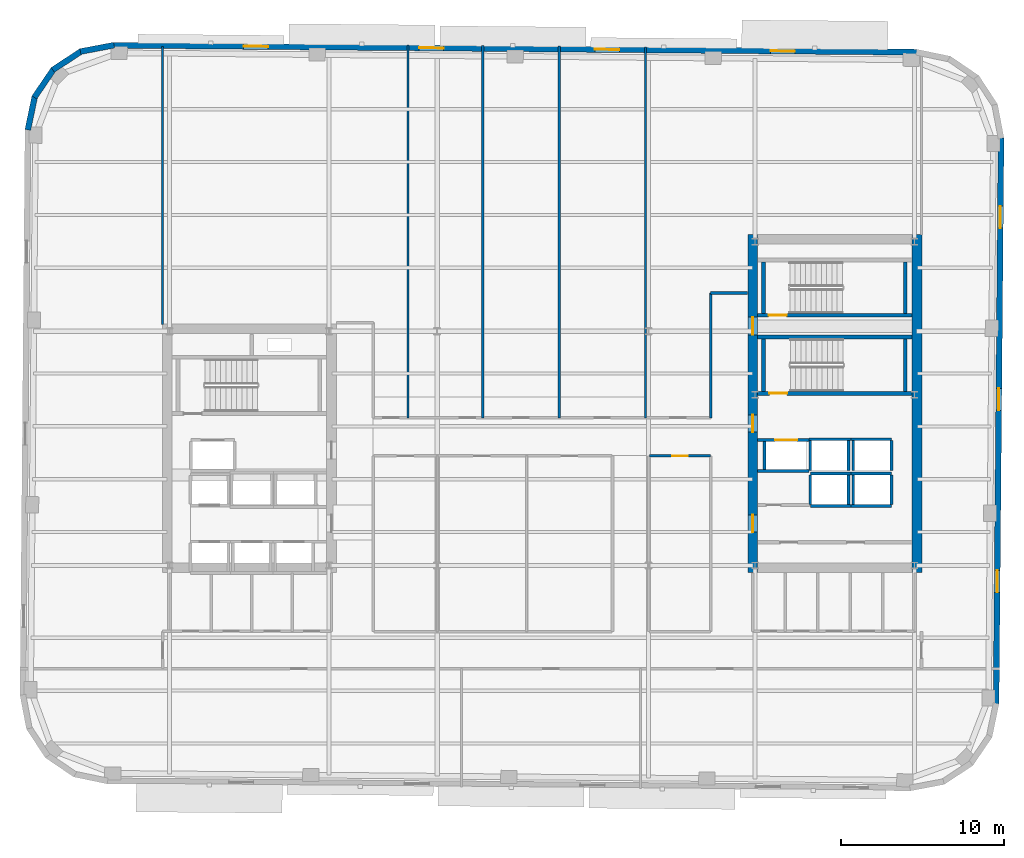
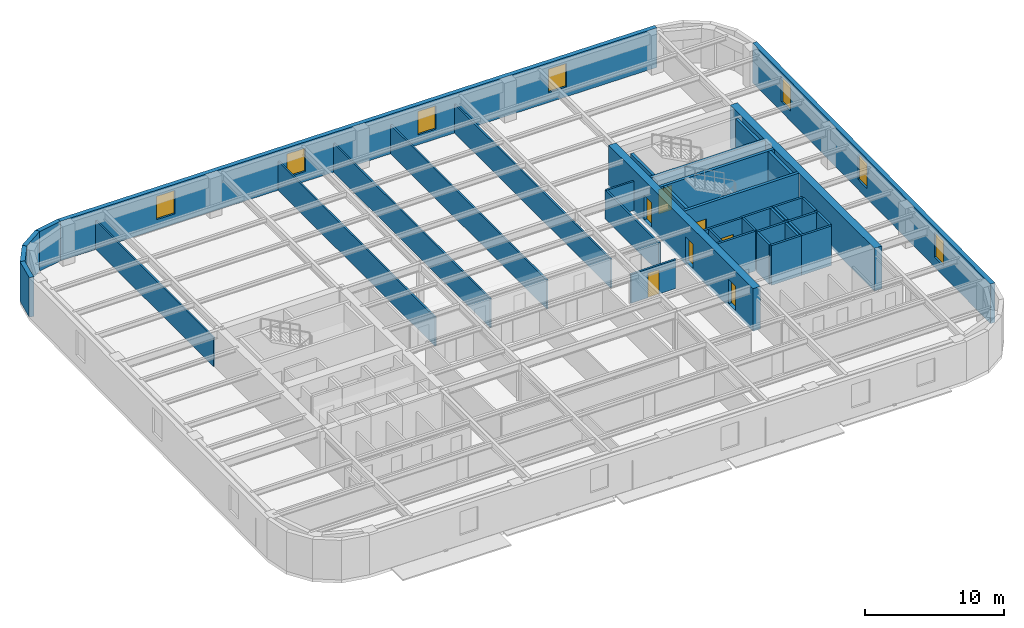
# One storey, part 6 of 11: 40 walls, 7 doors, 7 windows, 14 openings.
"""IFC4 building model written with IfcOpenShell, lengths in metres."""

from ifc_helpers import new_model, si_unit, direction, frame, frame_2d, origin, place, context, subcontext, project, spatial, rectangle, extrude, material, layer, layer_set, type_object, element, fill, save


model = new_model("IFC4")

# Units and contexts
model_context = context("Model", 3, precision=1e-05, world=origin(), true_north=direction((0.0, 1.0)))
body_context = subcontext(model_context, "Body", "Model", "MODEL_VIEW")
ifc_project = project(units=[si_unit("LENGTHUNIT", "METRE"), si_unit("AREAUNIT", "SQUARE_METRE"), si_unit("VOLUMEUNIT", "CUBIC_METRE"), si_unit("PLANEANGLEUNIT", "RADIAN"), si_unit("MASSUNIT", "GRAM", prefix="KILO")], contexts=[model_context])

# Site, building, storey
site_placement = place(None, origin())
site = spatial("IfcSite", under=ifc_project, at=site_placement, CompositionType="ELEMENT")
building_placement = place(site_placement, origin())
building = spatial("IfcBuilding", under=site, at=building_placement, Name="Kolvaren Arena Tower", CompositionType="ELEMENT")
storey_placement = place(building_placement, frame((0.0, 0.0, 184.699951171875)))
storey = spatial("IfcBuildingStorey", under=building, at=storey_placement, Name="L44", CompositionType="ELEMENT", Elevation=184.699951171875)

# Wall, opening, door
ifc_material_1 = material(Name="Gypsum board acoustic assembly", Category="gypsum")
ifc_layer_1 = layer(ifc_material_1, 0.159912109375)
ifc_layer_set_1 = layer_set([ifc_layer_1], Name="Gypsum board acoustic assembly")
wall_type_1 = type_object("IfcWallType", Name="CORR-160", PredefinedType="PARTITIONING", material=ifc_layer_set_1)
wall_1_placement = place(storey_placement, frame((44.0400390625, 26.179931640625, 0.0), z_axis=(0.0, 0.0, 1.0), x_axis=(1.0, 0.0, 0.0)))
wall_1 = element("IfcWall", 1, at=wall_1_placement, inside=storey, type_object=wall_type_1, Name="Interior Partition Wall (L44)", PredefinedType="PARTITIONING", context=body_context, shape_type="SweptSolid", body=[
    extrude(rectangle(XDim=3.760009765625, YDim=0.159912109375, at=frame_2d((1.8798828125, 0.0))), origin(), (0.0, 0.0, 1.0), 2.5400390625),
])
opening_1_placement = place(wall_1_placement, frame((1.405029296875, 0.0, 0.0)))
opening_1 = element("IfcOpeningElement", 2, at=opening_1_placement, cuts=wall_1, Name="Opening D05", PredefinedType="OPENING", context=body_context, shape_type="SweptSolid", body=[
    extrude(rectangle(XDim=0.949951171875, YDim=2.14990234375, at=frame_2d((0.47509765625, 1.074951171875))), frame((0.0, 0.08984375, 0.0), z_axis=(0.0, -1.0, 0.0), x_axis=(1.0, 0.0, 0.0)), (0.0, 0.0, 1.0), 0.179931640625),
])
ifc_material_2 = material(Name="Solid-core oak acoustic office door", Category="wood")
door_type_1 = type_object("IfcDoorType", Name="DOOR-OF-095", OperationType="NOTDEFINED", PredefinedType="DOOR", material=ifc_material_2)
door_1_placement = place(opening_1_placement, origin())
door_1 = element("IfcDoor", 3, at=door_1_placement, inside=storey, type_object=door_type_1, Name="Copy and Print Room Door (L44)", OperationType="SINGLE_SWING_LEFT", OverallHeight=2.14990234375, OverallWidth=0.949951171875, PredefinedType="DOOR", context=body_context, shape_type="SweptSolid", body=[
    extrude(rectangle(XDim=0.949951171875, YDim=2.14990234375, at=frame_2d((0.47509765625, 1.074951171875))), frame((0.0, 0.02490234375, 0.0), z_axis=(0.0, -1.0, 0.0), x_axis=(1.0, 0.0, 0.0)), (0.0, 0.0, 1.0), 0.050048828125),
])
fill(opening_1, door_1)

# Walls
wall_2_placement = place(storey_placement, frame((47.820068359375, 28.52001953125, 0.0), z_axis=(0.0, 0.0, 1.0), x_axis=(0.0, 1.0, 0.0)))
element("IfcWall", 4, at=wall_2_placement, inside=storey, type_object=wall_type_1, Name="Interior Partition Wall (L44)", PredefinedType="PARTITIONING", context=body_context, shape_type="SweptSolid", body=[
    extrude(rectangle(XDim=7.679931640625, YDim=0.159912109375, at=frame_2d((3.83984375, 0.0))), origin(), (0.0, 0.0, 1.0), 2.5400390625),
])
wall_3_placement = place(storey_placement, frame((47.820068359375, 36.199951171875, 0.0), z_axis=(0.0, 0.0, 1.0), x_axis=(1.0, 0.0, 0.0)))
element("IfcWall", 5, at=wall_3_placement, inside=storey, type_object=wall_type_1, Name="Interior Partition Wall (L44)", PredefinedType="PARTITIONING", context=body_context, shape_type="SweptSolid", body=[
    extrude(rectangle(XDim=2.260009765625, YDim=0.159912109375, at=frame_2d((1.1298828125, 0.0))), origin(), (0.0, 0.0, 1.0), 2.5400390625),
])

# Wall, openings, doors
ifc_material_3 = material(Name="Concrete 60 MPa", Category="concrete")
ifc_layer_2 = layer(ifc_material_3, 0.60009765625)
ifc_layer_set_2 = layer_set([ifc_layer_2], Name="Concrete 60 MPa")
wall_type_2 = type_object("IfcWallType", Name="CWALL-600", PredefinedType="SHEAR", material=ifc_layer_set_2)
wall_4_placement = place(storey_placement, frame((50.39990234375, 19.0, -0.27001953125), z_axis=(0.0, 0.0, 1.0), x_axis=(0.0, 1.0, 0.0)))
wall_4 = element("IfcWall", 6, at=wall_4_placement, inside=storey, type_object=wall_type_2, Name="Core Shear Wall EC-WEST (L44)", PredefinedType="SHEAR", context=body_context, shape_type="SweptSolid", body=[
    extrude(rectangle(XDim=20.800048828125, YDim=0.60009765625, at=frame_2d((10.39990234375, 0.0))), origin(), (0.0, 0.0, 1.0), 3.75),
])
opening_2_placement = place(wall_4_placement, frame((2.5, 0.0, 0.27001953125)))
opening_2 = element("IfcOpeningElement", 7, at=opening_2_placement, cuts=wall_4, Name="Opening D04", PredefinedType="OPENING", context=body_context, shape_type="SweptSolid", body=[
    extrude(rectangle(XDim=1.050048828125, YDim=2.14990234375, at=frame_2d((0.52490234375, 1.074951171875))), frame((0.0, 0.31005859375, 0.0), z_axis=(0.0, -1.0, 0.0), x_axis=(1.0, 0.0, 0.0)), (0.0, 0.0, 1.0), 0.6201171875),
])
opening_3_placement = place(wall_4_placement, frame((8.64990234375, 0.0, 0.27001953125)))
opening_3 = element("IfcOpeningElement", 8, at=opening_3_placement, cuts=wall_4, Name="Opening D04", PredefinedType="OPENING", context=body_context, shape_type="SweptSolid", body=[
    extrude(rectangle(XDim=1.050048828125, YDim=2.14990234375, at=frame_2d((0.52490234375, 1.074951171875))), frame((0.0, 0.31005859375, 0.0), z_axis=(0.0, -1.0, 0.0), x_axis=(1.0, 0.0, 0.0)), (0.0, 0.0, 1.0), 0.6201171875),
])
opening_4_placement = place(wall_4_placement, frame((14.6201171875, 0.0, 0.27001953125)))
opening_4 = element("IfcOpeningElement", 9, at=opening_4_placement, cuts=wall_4, Name="Opening D03", PredefinedType="OPENING", context=body_context, shape_type="SweptSolid", body=[
    extrude(rectangle(XDim=1.10009765625, YDim=2.14990234375, at=frame_2d((0.550048828125, 1.074951171875))), frame((0.0, 0.31005859375, 0.0), z_axis=(0.0, -1.0, 0.0), x_axis=(1.0, 0.0, 0.0)), (0.0, 0.0, 1.0), 0.6201171875),
])
ifc_material_4 = material(Name="Fire-rated steel lobby door", Category="steel")
door_type_2 = type_object("IfcDoorType", Name="DOOR-FF-105", OperationType="NOTDEFINED", PredefinedType="DOOR", material=ifc_material_4)
door_2_placement = place(opening_2_placement, origin())
door_2 = element("IfcDoor", 10, at=door_2_placement, inside=storey, type_object=door_type_2, Name="East Lift Lobby Fire Door (L44)", OperationType="SINGLE_SWING_RIGHT", OverallHeight=2.14990234375, OverallWidth=1.050048828125, PredefinedType="DOOR", context=body_context, shape_type="SweptSolid", body=[
    extrude(rectangle(XDim=1.050048828125, YDim=2.14990234375, at=frame_2d((0.52490234375, 1.074951171875))), frame((0.0, 0.02490234375, 0.0), z_axis=(0.0, -1.0, 0.0), x_axis=(1.0, 0.0, 0.0)), (0.0, 0.0, 1.0), 0.050048828125),
])
fill(opening_2, door_2)
door_3_placement = place(opening_3_placement, origin())
door_3 = element("IfcDoor", 11, at=door_3_placement, inside=storey, type_object=door_type_2, Name="East Firefighter Vestibule Door (L44)", OperationType="SINGLE_SWING_LEFT", OverallHeight=2.14990234375, OverallWidth=1.050048828125, PredefinedType="DOOR", context=body_context, shape_type="SweptSolid", body=[
    extrude(rectangle(XDim=1.050048828125, YDim=2.14990234375, at=frame_2d((0.52490234375, 1.074951171875))), frame((0.0, 0.02490234375, 0.0), z_axis=(0.0, -1.0, 0.0), x_axis=(1.0, 0.0, 0.0)), (0.0, 0.0, 1.0), 0.050048828125),
])
fill(opening_3, door_3)
ifc_material_5 = material(Name="Fire-rated steel exit stair door", Category="steel")
door_type_3 = type_object("IfcDoorType", Name="DOOR-ST-110", OperationType="NOTDEFINED", PredefinedType="DOOR", material=ifc_material_5)
door_4_placement = place(opening_4_placement, origin())
door_4 = element("IfcDoor", 12, at=door_4_placement, inside=storey, type_object=door_type_3, Name="Stair ST-E2 Vestibule Fire Door (L44)", OperationType="SINGLE_SWING_LEFT", OverallHeight=2.14990234375, OverallWidth=1.10009765625, PredefinedType="DOOR", context=body_context, shape_type="SweptSolid", body=[
    extrude(rectangle(XDim=1.10009765625, YDim=2.14990234375, at=frame_2d((0.550048828125, 1.074951171875))), frame((0.0, 0.02490234375, 0.0), z_axis=(0.0, -1.0, 0.0), x_axis=(1.0, 0.0, 0.0)), (0.0, 0.0, 1.0), 0.050048828125),
])
fill(opening_4, door_4)

# Wall
wall_5_placement = place(storey_placement, frame((60.5, 19.0, -0.27001953125), z_axis=(0.0, 0.0, 1.0), x_axis=(0.0, 1.0, 0.0)))
element("IfcWall", 13, at=wall_5_placement, inside=storey, type_object=wall_type_2, Name="Core Shear Wall EC-EAST (L44)", PredefinedType="SHEAR", context=body_context, shape_type="SweptSolid", body=[
    extrude(rectangle(XDim=20.800048828125, YDim=0.60009765625, at=frame_2d((10.39990234375, 0.0))), origin(), (0.0, 0.0, 1.0), 3.75),
])

# Wall, openings, windows
ifc_material_6 = material(Name="Precast concrete C50/60", Category="concrete")
ifc_layer_3 = layer(ifc_material_6, 0.360107421875)
ifc_layer_set_3 = layer_set([ifc_layer_3], Name="Precast concrete C50/60")
wall_type_3 = type_object("IfcWallType", Name="EXT-PIER2", PredefinedType="SOLIDWALL", material=ifc_layer_set_3)
wall_6_placement = place(storey_placement, frame((65.670654296875, 45.73828125, 0.0), z_axis=(0.0, 0.0, 1.0), x_axis=(-0.008727348535, -0.999961915969, 0.0)))
wall_6 = element("IfcWall", 14, at=wall_6_placement, inside=storey, type_object=wall_type_3, Name="Exterior Precast Masonry-Frame Wall (L44)", PredefinedType="SOLIDWALL", context=body_context, shape_type="SweptSolid", body=[
    extrude(rectangle(XDim=34.7998046875, YDim=0.360107421875, at=frame_2d((17.39990234375, 0.0))), origin(), (0.0, 0.0, 1.0), 3.47998046875),
])
opening_5_placement = place(wall_6_placement, frame((4.199951171875, 0.0, 0.8798828125)))
opening_5 = element("IfcOpeningElement", 15, at=opening_5_placement, cuts=wall_6, Name="Opening W04", PredefinedType="OPENING", context=body_context, shape_type="SweptSolid", body=[
    extrude(rectangle(XDim=1.35009765625, YDim=2.199951171875, at=frame_2d((0.675048828125, 1.10009765625))), frame((0.0, 0.18994140625, 0.0), z_axis=(0.0, -1.0, 0.0), x_axis=(1.0, 0.0, 0.0)), (0.0, 0.0, 1.0), 0.380126953125),
])
opening_6_placement = place(wall_6_placement, frame((15.39990234375, 0.0, 0.8798828125)))
opening_6 = element("IfcOpeningElement", 16, at=opening_6_placement, cuts=wall_6, Name="Opening W04", PredefinedType="OPENING", context=body_context, shape_type="SweptSolid", body=[
    extrude(rectangle(XDim=1.35009765625, YDim=2.199951171875, at=frame_2d((0.675048828125, 1.10009765625))), frame((0.0, 0.18994140625, 0.0), z_axis=(0.0, -1.0, 0.0), x_axis=(1.0, 0.0, 0.0)), (0.0, 0.0, 1.0), 0.380126953125),
])
opening_7_placement = place(wall_6_placement, frame((26.60009765625, 0.0, 0.8798828125)))
opening_7 = element("IfcOpeningElement", 17, at=opening_7_placement, cuts=wall_6, Name="Opening W04", PredefinedType="OPENING", context=body_context, shape_type="SweptSolid", body=[
    extrude(rectangle(XDim=1.35009765625, YDim=2.199951171875, at=frame_2d((0.675048828125, 1.10009765625))), frame((0.0, 0.18994140625, 0.0), z_axis=(0.0, -1.0, 0.0), x_axis=(1.0, 0.0, 0.0)), (0.0, 0.0, 1.0), 0.380126953125),
])
ifc_material_7 = material(Name="Triple-glazed curved-facet corner window", Category="glass")
window_type_1 = type_object("IfcWindowType", Name="WIN-CRN-A", PartitioningType="SINGLE_PANEL", PredefinedType="WINDOW", material=ifc_material_7)
window_1_placement = place(opening_5_placement, origin())
window_1 = element("IfcWindow", 18, at=window_1_placement, inside=storey, type_object=window_type_1, Name="End-Wall Punched Window (L44)", OverallHeight=2.199951171875, OverallWidth=1.35009765625, PartitioningType="SINGLE_PANEL", PredefinedType="WINDOW", context=body_context, shape_type="SweptSolid", body=[
    extrude(rectangle(XDim=1.35009765625, YDim=2.199951171875, at=frame_2d((0.675048828125, 1.10009765625))), frame((0.0, 0.030029296875, 0.0), z_axis=(0.0, -1.0, 0.0), x_axis=(1.0, 0.0, 0.0)), (0.0, 0.0, 1.0), 0.06005859375),
])
fill(opening_5, window_1)
window_2_placement = place(opening_6_placement, origin())
window_2 = element("IfcWindow", 19, at=window_2_placement, inside=storey, type_object=window_type_1, Name="End-Wall Punched Window (L44)", OverallHeight=2.199951171875, OverallWidth=1.35009765625, PartitioningType="SINGLE_PANEL", PredefinedType="WINDOW", context=body_context, shape_type="SweptSolid", body=[
    extrude(rectangle(XDim=1.35009765625, YDim=2.199951171875, at=frame_2d((0.675048828125, 1.10009765625))), frame((0.0, 0.030029296875, 0.0), z_axis=(0.0, -1.0, 0.0), x_axis=(1.0, 0.0, 0.0)), (0.0, 0.0, 1.0), 0.06005859375),
])
fill(opening_6, window_2)
window_3_placement = place(opening_7_placement, origin())
window_3 = element("IfcWindow", 20, at=window_3_placement, inside=storey, type_object=window_type_1, Name="End-Wall Punched Window (L44)", OverallHeight=2.199951171875, OverallWidth=1.35009765625, PartitioningType="SINGLE_PANEL", PredefinedType="WINDOW", context=body_context, shape_type="SweptSolid", body=[
    extrude(rectangle(XDim=1.35009765625, YDim=2.199951171875, at=frame_2d((0.675048828125, 1.10009765625))), frame((0.0, 0.030029296875, 0.0), z_axis=(0.0, -1.0, 0.0), x_axis=(1.0, 0.0, 0.0)), (0.0, 0.0, 1.0), 0.06005859375),
])
fill(opening_7, window_3)

wall_7_placement = place(storey_placement, frame((11.098388671875, 51.434814453125, 0.0), z_axis=(0.0, 0.0, 1.0), x_axis=(0.99996191194, -0.008727810138, 0.0)))
wall_7 = element("IfcWall", 21, at=wall_7_placement, inside=storey, type_object=wall_type_3, Name="Exterior Precast Masonry-Frame Wall (L44)", PredefinedType="SOLIDWALL", context=body_context, shape_type="SweptSolid", body=[
    extrude(rectangle(XDim=49.39990234375, YDim=0.360107421875, at=frame_2d((24.699951171875, 0.0))), origin(), (0.0, 0.0, 1.0), 3.47998046875),
])
opening_8_placement = place(wall_7_placement, frame((8.0, 0.0, 0.8798828125)))
opening_8 = element("IfcOpeningElement", 22, at=opening_8_placement, cuts=wall_7, Name="Opening W03", PredefinedType="OPENING", context=body_context, shape_type="SweptSolid", body=[
    extrude(rectangle(XDim=1.5, YDim=2.050048828125, at=frame_2d((0.75, 1.02490234375))), frame((0.0, 0.18994140625, 0.0), z_axis=(0.0, -1.0, 0.0), x_axis=(1.0, 0.0, 0.0)), (0.0, 0.0, 1.0), 0.380126953125),
])
opening_9_placement = place(wall_7_placement, frame((18.800048828125, 0.0, 0.8798828125)))
opening_9 = element("IfcOpeningElement", 23, at=opening_9_placement, cuts=wall_7, Name="Opening W03", PredefinedType="OPENING", context=body_context, shape_type="SweptSolid", body=[
    extrude(rectangle(XDim=1.5, YDim=2.050048828125, at=frame_2d((0.75, 1.02490234375))), frame((0.0, 0.18994140625, 0.0), z_axis=(0.0, -1.0, 0.0), x_axis=(1.0, 0.0, 0.0)), (0.0, 0.0, 1.0), 0.380126953125),
])
opening_10_placement = place(wall_7_placement, frame((29.60009765625, 0.0, 0.8798828125)))
opening_10 = element("IfcOpeningElement", 24, at=opening_10_placement, cuts=wall_7, Name="Opening W03", PredefinedType="OPENING", context=body_context, shape_type="SweptSolid", body=[
    extrude(rectangle(XDim=1.5, YDim=2.050048828125, at=frame_2d((0.75, 1.02490234375))), frame((0.0, 0.18994140625, 0.0), z_axis=(0.0, -1.0, 0.0), x_axis=(1.0, 0.0, 0.0)), (0.0, 0.0, 1.0), 0.380126953125),
])
opening_11_placement = place(wall_7_placement, frame((40.39990234375, 0.0, 0.8798828125)))
opening_11 = element("IfcOpeningElement", 25, at=opening_11_placement, cuts=wall_7, Name="Opening W03", PredefinedType="OPENING", context=body_context, shape_type="SweptSolid", body=[
    extrude(rectangle(XDim=1.5, YDim=2.050048828125, at=frame_2d((0.75, 1.02490234375))), frame((0.0, 0.18994140625, 0.0), z_axis=(0.0, -1.0, 0.0), x_axis=(1.0, 0.0, 0.0)), (0.0, 0.0, 1.0), 0.380126953125),
])
ifc_material_8 = material(Name="Triple-glazed low-E aluminium window", Category="aluminium")
window_type_2 = type_object("IfcWindowType", Name="WIN-OFF-C", PartitioningType="SINGLE_PANEL", PredefinedType="WINDOW", material=ifc_material_8)
window_4_placement = place(opening_8_placement, origin())
window_4 = element("IfcWindow", 26, at=window_4_placement, inside=storey, type_object=window_type_2, Name="Punched Precast-Pier Window (L44)", OverallHeight=2.050048828125, OverallWidth=1.5, PartitioningType="SINGLE_PANEL", PredefinedType="WINDOW", context=body_context, shape_type="SweptSolid", body=[
    extrude(rectangle(XDim=1.5, YDim=2.050048828125, at=frame_2d((0.75, 1.02490234375))), frame((0.0, 0.030029296875, 0.0), z_axis=(0.0, -1.0, 0.0), x_axis=(1.0, 0.0, 0.0)), (0.0, 0.0, 1.0), 0.06005859375),
])
fill(opening_8, window_4)
window_5_placement = place(opening_9_placement, origin())
window_5 = element("IfcWindow", 27, at=window_5_placement, inside=storey, type_object=window_type_2, Name="Punched Precast-Pier Window (L44)", OverallHeight=2.050048828125, OverallWidth=1.5, PartitioningType="SINGLE_PANEL", PredefinedType="WINDOW", context=body_context, shape_type="SweptSolid", body=[
    extrude(rectangle(XDim=1.5, YDim=2.050048828125, at=frame_2d((0.75, 1.02490234375))), frame((0.0, 0.030029296875, 0.0), z_axis=(0.0, -1.0, 0.0), x_axis=(1.0, 0.0, 0.0)), (0.0, 0.0, 1.0), 0.06005859375),
])
fill(opening_9, window_5)
window_6_placement = place(opening_10_placement, origin())
window_6 = element("IfcWindow", 28, at=window_6_placement, inside=storey, type_object=window_type_2, Name="Punched Precast-Pier Window (L44)", OverallHeight=2.050048828125, OverallWidth=1.5, PartitioningType="SINGLE_PANEL", PredefinedType="WINDOW", context=body_context, shape_type="SweptSolid", body=[
    extrude(rectangle(XDim=1.5, YDim=2.050048828125, at=frame_2d((0.75, 1.02490234375))), frame((0.0, 0.030029296875, 0.0), z_axis=(0.0, -1.0, 0.0), x_axis=(1.0, 0.0, 0.0)), (0.0, 0.0, 1.0), 0.06005859375),
])
fill(opening_10, window_6)
window_7_placement = place(opening_11_placement, origin())
window_7 = element("IfcWindow", 29, at=window_7_placement, inside=storey, type_object=window_type_2, Name="Punched Precast-Pier Window (L44)", OverallHeight=2.050048828125, OverallWidth=1.5, PartitioningType="SINGLE_PANEL", PredefinedType="WINDOW", context=body_context, shape_type="SweptSolid", body=[
    extrude(rectangle(XDim=1.5, YDim=2.050048828125, at=frame_2d((0.75, 1.02490234375))), frame((0.0, 0.030029296875, 0.0), z_axis=(0.0, -1.0, 0.0), x_axis=(1.0, 0.0, 0.0)), (0.0, 0.0, 1.0), 0.06005859375),
])
fill(opening_11, window_7)

# Walls
wall_8_placement = place(storey_placement, frame((9.0634765625, 51.044921875, 0.0), z_axis=(0.0, 0.0, 1.0), x_axis=(0.982445905584, 0.186547695246, 0.0)))
element("IfcWall", 30, at=wall_8_placement, inside=storey, type_object=wall_type_3, Name="Exterior Precast Masonry-Frame Wall (L44)", PredefinedType="SOLIDWALL", context=body_context, shape_type="SweptSolid", body=[
    extrude(rectangle(XDim=2.107177734375, YDim=0.360107421875, at=frame_2d((1.0537109375, 0.0))), origin(), (0.0, 0.0, 1.0), 3.47998046875),
])
for number, where, z_axis, x_axis, name in (
    (31, (7.36669921875, 49.916015625, 0.0), (0.0, 0.0, 1.0), (0.836268756678, 0.548319766745, 0.0), "Exterior Precast Masonry-Frame Wall (L44)"),
    (32, (6.23095703125, 48.223388671875, 0.0), (0.0, 0.0, 1.0), (0.56277581689, 0.826609569219, 0.0), "Exterior Precast Masonry-Frame Wall (L44)"),
    (33, (5.8291015625, 46.225341796875, 0.0), (0.0, 0.0, 1.0), (0.203709000552, 0.979031482177, 0.0), "Exterior Precast Masonry-Frame Wall (L44)"),
):
    element("IfcWall", number, at=place(storey_placement, frame(where, z_axis=z_axis, x_axis=x_axis)), inside=storey, type_object=wall_type_3, Name=name, PredefinedType="SOLIDWALL", context=body_context, shape_type="SweptSolid", body=[
        extrude(rectangle(XDim=2.10693359375, YDim=0.360107421875, at=frame_2d((1.053466796875, 0.0))), origin(), (0.0, 0.0, 1.0), 3.47998046875),
    ])
ifc_material_9 = material(Name="Gypsum board partition assembly", Category="gypsum")
ifc_layer_4 = layer(ifc_material_9, 0.135009765625)
ifc_layer_set_4 = layer_set([ifc_layer_4], Name="Gypsum board partition assembly")
wall_type_4 = type_object("IfcWallType", Name="PART-135", PredefinedType="PARTITIONING", material=ifc_layer_set_4)
wall_9_placement = place(storey_placement, frame((29.199951171875, 28.52001953125, 0.0), z_axis=(0.0, 0.0, 1.0), x_axis=(0.0, 1.0, 0.0)))
element("IfcWall", 34, at=wall_9_placement, inside=storey, type_object=wall_type_4, Name="Interior Partition Wall (L44)", PredefinedType="PARTITIONING", context=body_context, shape_type="SweptSolid", body=[
    extrude(rectangle(XDim=22.936767578125, YDim=0.135009765625, at=frame_2d((11.46826171875, 0.0))), origin(), (0.0, 0.0, 1.0), 2.5400390625),
])
wall_10_placement = place(storey_placement, frame((33.800048828125, 28.52001953125, 0.0), z_axis=(0.0, 0.0, 1.0), x_axis=(0.0, 1.0, 0.0)))
element("IfcWall", 35, at=wall_10_placement, inside=storey, type_object=wall_type_4, Name="Interior Partition Wall (L44)", PredefinedType="PARTITIONING", context=body_context, shape_type="SweptSolid", body=[
    extrude(rectangle(XDim=22.896484375, YDim=0.135009765625, at=frame_2d((11.4482421875, 0.0))), origin(), (0.0, 0.0, 1.0), 2.5400390625),
])
wall_11_placement = place(storey_placement, frame((38.5, 28.52001953125, 0.0), z_axis=(0.0, 0.0, 1.0), x_axis=(0.0, 1.0, 0.0)))
element("IfcWall", 36, at=wall_11_placement, inside=storey, type_object=wall_type_4, Name="Interior Partition Wall (L44)", PredefinedType="PARTITIONING", context=body_context, shape_type="SweptSolid", body=[
    extrude(rectangle(XDim=22.85546875, YDim=0.135009765625, at=frame_2d((11.427734375, 0.0))), origin(), (0.0, 0.0, 1.0), 2.5400390625),
])
wall_12_placement = place(storey_placement, frame((43.800048828125, 28.52001953125, 0.0), z_axis=(0.0, 0.0, 1.0), x_axis=(0.0, 1.0, 0.0)))
element("IfcWall", 37, at=wall_12_placement, inside=storey, type_object=wall_type_4, Name="Interior Partition Wall (L44)", PredefinedType="PARTITIONING", context=body_context, shape_type="SweptSolid", body=[
    extrude(rectangle(XDim=22.809326171875, YDim=0.135009765625, at=frame_2d((11.40478515625, 0.0))), origin(), (0.0, 0.0, 1.0), 2.5400390625),
])
wall_13_placement = place(storey_placement, frame((14.1201171875, 34.25, 0.0), z_axis=(0.0, 0.0, 1.0), x_axis=(0.0, 1.0, 0.0)))
element("IfcWall", 38, at=wall_13_placement, inside=storey, type_object=wall_type_4, Name="Interior Partition Wall (L44)", PredefinedType="PARTITIONING", context=body_context, shape_type="SweptSolid", body=[
    extrude(rectangle(XDim=17.098388671875, YDim=0.135009765625, at=frame_2d((8.54931640625, 0.0))), origin(), (0.0, 0.0, 1.0), 2.5400390625),
])

# Wall, opening, door
ifc_material_10 = material(Name="Concrete 45 MPa", Category="concrete")
ifc_layer_5 = layer(ifc_material_10, 0.25)
ifc_layer_set_5 = layer_set([ifc_layer_5], Name="Concrete 45 MPa")
wall_type_5 = type_object("IfcWallType", Name="SHAFT-250", PredefinedType="SOLIDWALL", material=ifc_layer_set_5)
wall_14_placement = place(storey_placement, frame((60.199951171875, 30.030029296875, 0.0), z_axis=(0.0, 0.0, 1.0), x_axis=(-1.0, 0.0, 0.0)))
wall_14 = element("IfcWall", 39, at=wall_14_placement, inside=storey, type_object=wall_type_5, Name="Core Shaft Wall (L44)", PredefinedType="SOLIDWALL", context=body_context, shape_type="SweptSolid", body=[
    extrude(rectangle(XDim=9.5, YDim=0.239990234375, at=frame_2d((4.75, 0.0))), origin(), (0.0, 0.0, 1.0), 3.47998046875),
])
opening_12_placement = place(wall_14_placement, frame((7.679931640625, 0.0, 0.0)))
opening_12 = element("IfcOpeningElement", 40, at=opening_12_placement, cuts=wall_14, Name="Opening D03", PredefinedType="OPENING", context=body_context, shape_type="SweptSolid", body=[
    extrude(rectangle(XDim=1.10009765625, YDim=2.14990234375, at=frame_2d((0.550048828125, 1.074951171875))), frame((0.0, 0.1298828125, 0.0), z_axis=(0.0, -1.0, 0.0), x_axis=(1.0, 0.0, 0.0)), (0.0, 0.0, 1.0), 0.260009765625),
])
door_5_placement = place(opening_12_placement, origin())
door_5 = element("IfcDoor", 41, at=door_5_placement, inside=storey, type_object=door_type_3, Name="Stair ST-E1 Fire Door (L44)", OperationType="SINGLE_SWING_LEFT", OverallHeight=2.14990234375, OverallWidth=1.10009765625, PredefinedType="DOOR", context=body_context, shape_type="SweptSolid", body=[
    extrude(rectangle(XDim=1.10009765625, YDim=2.14990234375, at=frame_2d((0.550048828125, 1.074951171875))), frame((0.0, 0.02490234375, 0.0), z_axis=(0.0, -1.0, 0.0), x_axis=(1.0, 0.0, 0.0)), (0.0, 0.0, 1.0), 0.050048828125),
])
fill(opening_12, door_5)

# Walls
wall_15_placement = place(storey_placement, frame((50.699951171875, 33.5, 0.0), z_axis=(0.0, 0.0, 1.0), x_axis=(1.0, 0.0, 0.0)))
element("IfcWall", 42, at=wall_15_placement, inside=storey, type_object=wall_type_5, Name="Core Shaft Wall (L44)", PredefinedType="SOLIDWALL", context=body_context, shape_type="SweptSolid", body=[
    extrude(rectangle(XDim=9.5, YDim=0.239990234375, at=frame_2d((4.75, 0.0))), origin(), (0.0, 0.0, 1.0), 3.47998046875),
])
for number, where, z_axis, x_axis, name in (
    (43, (51.06005859375, 30.14990234375, 0.0), (0.0, 0.0, 1.0), (0.0, 1.0, 0.0), "Core Shaft Wall (L44)"),
    (44, (59.780029296875, 30.14990234375, 0.0), (0.0, 0.0, 1.0), (0.0, 1.0, 0.0), "Core Shaft Wall (L44)"),
):
    element("IfcWall", number, at=place(storey_placement, frame(where, z_axis=z_axis, x_axis=x_axis)), inside=storey, type_object=wall_type_5, Name=name, PredefinedType="SOLIDWALL", context=body_context, shape_type="SweptSolid", body=[
        extrude(rectangle(XDim=3.22998046875, YDim=0.239990234375, at=frame_2d((1.614990234375, 0.0))), origin(), (0.0, 0.0, 1.0), 3.47998046875),
    ])

# Wall, opening, door
wall_16_placement = place(storey_placement, frame((60.199951171875, 34.830078125, 0.0), z_axis=(0.0, 0.0, 1.0), x_axis=(-1.0, 0.0, 0.0)))
wall_16 = element("IfcWall", 45, at=wall_16_placement, inside=storey, type_object=wall_type_5, Name="Core Shaft Wall (L44)", PredefinedType="SOLIDWALL", context=body_context, shape_type="SweptSolid", body=[
    extrude(rectangle(XDim=9.5, YDim=0.239990234375, at=frame_2d((4.75, 0.0))), origin(), (0.0, 0.0, 1.0), 3.47998046875),
])
opening_13_placement = place(wall_16_placement, frame((7.719970703125, 0.0, 0.0)))
opening_13 = element("IfcOpeningElement", 46, at=opening_13_placement, cuts=wall_16, Name="Opening D03", PredefinedType="OPENING", context=body_context, shape_type="SweptSolid", body=[
    extrude(rectangle(XDim=1.10009765625, YDim=2.14990234375, at=frame_2d((0.550048828125, 1.074951171875))), frame((0.0, 0.1298828125, 0.0), z_axis=(0.0, -1.0, 0.0), x_axis=(1.0, 0.0, 0.0)), (0.0, 0.0, 1.0), 0.260009765625),
])
door_6_placement = place(opening_13_placement, origin())
door_6 = element("IfcDoor", 47, at=door_6_placement, inside=storey, type_object=door_type_3, Name="Stair ST-E2 Fire Door (L44)", OperationType="SINGLE_SWING_LEFT", OverallHeight=2.14990234375, OverallWidth=1.10009765625, PredefinedType="DOOR", context=body_context, shape_type="SweptSolid", body=[
    extrude(rectangle(XDim=1.10009765625, YDim=2.14990234375, at=frame_2d((0.550048828125, 1.074951171875))), frame((0.0, 0.02490234375, 0.0), z_axis=(0.0, -1.0, 0.0), x_axis=(1.0, 0.0, 0.0)), (0.0, 0.0, 1.0), 0.050048828125),
])
fill(opening_13, door_6)

# Walls
for number, where, z_axis, x_axis, name in (
    (48, (51.06005859375, 34.949951171875, 0.0), (0.0, 0.0, 1.0), (0.0, 1.0, 0.0), "Core Shaft Wall (L44)"),
    (49, (59.780029296875, 34.949951171875, 0.0), (0.0, 0.0, 1.0), (0.0, 1.0, 0.0), "Core Shaft Wall (L44)"),
):
    element("IfcWall", number, at=place(storey_placement, frame(where, z_axis=z_axis, x_axis=x_axis)), inside=storey, type_object=wall_type_5, Name=name, PredefinedType="SOLIDWALL", context=body_context, shape_type="SweptSolid", body=[
        extrude(rectangle(XDim=3.150146484375, YDim=0.239990234375, at=frame_2d((1.5751953125, 0.0))), origin(), (0.0, 0.0, 1.0), 3.47998046875),
    ])
for number, where, z_axis, x_axis, name in (
    (50, (53.93994140625, 25.10498046875, 0.0), (0.0, 0.0, 1.0), (1.0, 0.0, 0.0), "Core Shaft Wall (L44)"),
    (51, (53.93994140625, 23.094970703125, 0.0), (0.0, 0.0, 1.0), (1.0, 0.0, 0.0), "Core Shaft Wall (L44)"),
):
    element("IfcWall", number, at=place(storey_placement, frame(where, z_axis=z_axis, x_axis=x_axis)), inside=storey, type_object=wall_type_5, Name=name, PredefinedType="SOLIDWALL", context=body_context, shape_type="SweptSolid", body=[
        extrude(rectangle(XDim=2.5, YDim=0.179931640625, at=frame_2d((1.25, 0.0))), origin(), (0.0, 0.0, 1.0), 3.47998046875),
    ])
for number, where, z_axis, x_axis, name in (
    (52, (53.93994140625, 23.18505859375, 0.0), (0.0, 0.0, 1.0), (0.0, 1.0, 0.0), "Core Shaft Wall (L44)"),
    (53, (56.300048828125, 23.18505859375, 0.0), (0.0, 0.0, 1.0), (0.0, 1.0, 0.0), "Core Shaft Wall (L44)"),
):
    element("IfcWall", number, at=place(storey_placement, frame(where, z_axis=z_axis, x_axis=x_axis)), inside=storey, type_object=wall_type_5, Name=name, PredefinedType="SOLIDWALL", context=body_context, shape_type="SweptSolid", body=[
        extrude(rectangle(XDim=1.829833984375, YDim=0.179931640625, at=frame_2d((0.9150390625, 0.0))), origin(), (0.0, 0.0, 1.0), 3.47998046875),
    ])
for number, where, z_axis, x_axis, name in (
    (54, (56.43994140625, 25.10498046875, 0.0), (0.0, 0.0, 1.0), (1.0, 0.0, 0.0), "Core Shaft Wall (L44)"),
    (55, (56.43994140625, 23.094970703125, 0.0), (0.0, 0.0, 1.0), (1.0, 0.0, 0.0), "Core Shaft Wall (L44)"),
):
    element("IfcWall", number, at=place(storey_placement, frame(where, z_axis=z_axis, x_axis=x_axis)), inside=storey, type_object=wall_type_5, Name=name, PredefinedType="SOLIDWALL", context=body_context, shape_type="SweptSolid", body=[
        extrude(rectangle(XDim=2.5, YDim=0.179931640625, at=frame_2d((1.25, 0.0))), origin(), (0.0, 0.0, 1.0), 3.47998046875),
    ])
for number, where, z_axis, x_axis, name in (
    (56, (56.580078125, 23.18505859375, 0.0), (0.0, 0.0, 1.0), (0.0, 1.0, 0.0), "Core Shaft Wall (L44)"),
    (57, (58.93994140625, 23.18505859375, 0.0), (0.0, 0.0, 1.0), (0.0, 1.0, 0.0), "Core Shaft Wall (L44)"),
):
    element("IfcWall", number, at=place(storey_placement, frame(where, z_axis=z_axis, x_axis=x_axis)), inside=storey, type_object=wall_type_5, Name=name, PredefinedType="SOLIDWALL", context=body_context, shape_type="SweptSolid", body=[
        extrude(rectangle(XDim=1.829833984375, YDim=0.179931640625, at=frame_2d((0.9150390625, 0.0))), origin(), (0.0, 0.0, 1.0), 3.47998046875),
    ])
wall_17_placement = place(storey_placement, frame((53.864990234375, 27.205078125, 0.0), z_axis=(0.0, 0.0, 1.0), x_axis=(1.0, 0.0, 0.0)))
element("IfcWall", 58, at=wall_17_placement, inside=storey, type_object=wall_type_5, Name="Core Shaft Wall (L44)", PredefinedType="SOLIDWALL", context=body_context, shape_type="SweptSolid", body=[
    extrude(rectangle(XDim=2.574951171875, YDim=0.179931640625, at=frame_2d((1.28759765625, 0.0))), origin(), (0.0, 0.0, 1.0), 3.47998046875),
])
for number, where, z_axis, x_axis, name in (
    (59, (53.93994140625, 25.284912109375, 0.0), (0.0, 0.0, 1.0), (0.0, 1.0, 0.0), "Core Shaft Wall (L44)"),
    (60, (56.300048828125, 25.284912109375, 0.0), (0.0, 0.0, 1.0), (0.0, 1.0, 0.0), "Core Shaft Wall (L44)"),
):
    element("IfcWall", number, at=place(storey_placement, frame(where, z_axis=z_axis, x_axis=x_axis)), inside=storey, type_object=wall_type_5, Name=name, PredefinedType="SOLIDWALL", context=body_context, shape_type="SweptSolid", body=[
        extrude(rectangle(XDim=1.830078125, YDim=0.179931640625, at=frame_2d((0.9150390625, 0.0))), origin(), (0.0, 0.0, 1.0), 3.47998046875),
    ])
wall_18_placement = place(storey_placement, frame((56.43994140625, 27.205078125, 0.0), z_axis=(0.0, 0.0, 1.0), x_axis=(1.0, 0.0, 0.0)))
element("IfcWall", 61, at=wall_18_placement, inside=storey, type_object=wall_type_5, Name="Core Shaft Wall (L44)", PredefinedType="SOLIDWALL", context=body_context, shape_type="SweptSolid", body=[
    extrude(rectangle(XDim=2.5, YDim=0.179931640625, at=frame_2d((1.25, 0.0))), origin(), (0.0, 0.0, 1.0), 3.47998046875),
])
for number, where, z_axis, x_axis, name in (
    (62, (56.580078125, 25.284912109375, 0.0), (0.0, 0.0, 1.0), (0.0, 1.0, 0.0), "Core Shaft Wall (L44)"),
    (63, (58.93994140625, 25.284912109375, 0.0), (0.0, 0.0, 1.0), (0.0, 1.0, 0.0), "Core Shaft Wall (L44)"),
):
    element("IfcWall", number, at=place(storey_placement, frame(where, z_axis=z_axis, x_axis=x_axis)), inside=storey, type_object=wall_type_5, Name=name, PredefinedType="SOLIDWALL", context=body_context, shape_type="SweptSolid", body=[
        extrude(rectangle(XDim=1.830078125, YDim=0.179931640625, at=frame_2d((0.9150390625, 0.0))), origin(), (0.0, 0.0, 1.0), 3.47998046875),
    ])

# Wall, opening, door
wall_19_placement = place(storey_placement, frame((50.699951171875, 27.155029296875, 0.0), z_axis=(0.0, 0.0, 1.0), x_axis=(1.0, 0.0, 0.0)))
wall_19 = element("IfcWall", 64, at=wall_19_placement, inside=storey, type_object=wall_type_5, Name="Core Shaft Wall (L44)", PredefinedType="SOLIDWALL", context=body_context, shape_type="SweptSolid", body=[
    extrude(rectangle(XDim=3.1650390625, YDim=0.179931640625, at=frame_2d((1.58251953125, 0.0))), origin(), (0.0, 0.0, 1.0), 3.47998046875),
])
opening_14_placement = place(wall_19_placement, frame((1.0849609375, 0.0, 0.0)))
opening_14 = element("IfcOpeningElement", 65, at=opening_14_placement, cuts=wall_19, Name="Opening LD2", PredefinedType="OPENING", context=body_context, shape_type="SweptSolid", body=[
    extrude(rectangle(XDim=1.35009765625, YDim=2.300048828125, at=frame_2d((0.675048828125, 1.14990234375))), frame((0.0, 0.099853515625, 0.0), z_axis=(0.0, -1.0, 0.0), x_axis=(1.0, 0.0, 0.0)), (0.0, 0.0, 1.0), 0.199951171875),
])
ifc_material_11 = material(Name="Stainless steel firefighter lift landing door", Category="steel")
door_type_4 = type_object("IfcDoorType", Name="DOOR-LD-135", OperationType="DOUBLE_DOOR_SLIDING", PredefinedType="DOOR", material=ifc_material_11)
door_7_placement = place(opening_14_placement, origin())
door_7 = element("IfcDoor", 66, at=door_7_placement, inside=storey, type_object=door_type_4, Name="Firefighter Lift FF-E1 Landing Door (L44)", OperationType="DOUBLE_DOOR_SLIDING", OverallHeight=2.300048828125, OverallWidth=1.35009765625, PredefinedType="DOOR", context=body_context, shape_type="SweptSolid", body=[
    extrude(rectangle(XDim=1.35009765625, YDim=2.300048828125, at=frame_2d((0.675048828125, 1.14990234375))), frame((0.0, 0.02490234375, 0.0), z_axis=(0.0, -1.0, 0.0), x_axis=(1.0, 0.0, 0.0)), (0.0, 0.0, 1.0), 0.050048828125),
])
fill(opening_14, door_7)

# Walls
wall_20_placement = place(storey_placement, frame((50.699951171875, 25.2451171875, 0.0), z_axis=(0.0, 0.0, 1.0), x_axis=(1.0, 0.0, 0.0)))
element("IfcWall", 67, at=wall_20_placement, inside=storey, type_object=wall_type_5, Name="Core Shaft Wall (L44)", PredefinedType="SOLIDWALL", context=body_context, shape_type="SweptSolid", body=[
    extrude(rectangle(XDim=3.1650390625, YDim=0.179931640625, at=frame_2d((1.58251953125, 0.0))), origin(), (0.0, 0.0, 1.0), 3.47998046875),
])
wall_21_placement = place(storey_placement, frame((51.1298828125, 25.3349609375, 0.0), z_axis=(0.0, 0.0, 1.0), x_axis=(0.0, 1.0, 0.0)))
element("IfcWall", 68, at=wall_21_placement, inside=storey, type_object=wall_type_5, Name="Core Shaft Wall (L44)", PredefinedType="SOLIDWALL", context=body_context, shape_type="SweptSolid", body=[
    extrude(rectangle(XDim=1.72998046875, YDim=0.179931640625, at=frame_2d((0.864990234375, 0.0))), origin(), (0.0, 0.0, 1.0), 3.47998046875),
])

save(model, "model.ifc")
